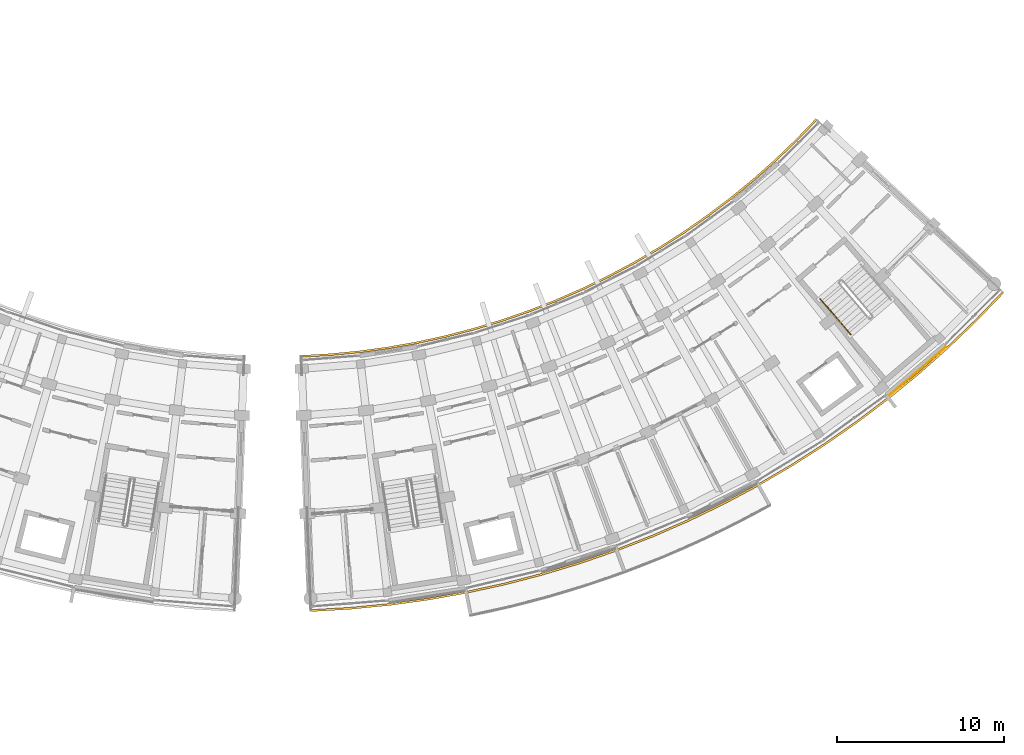
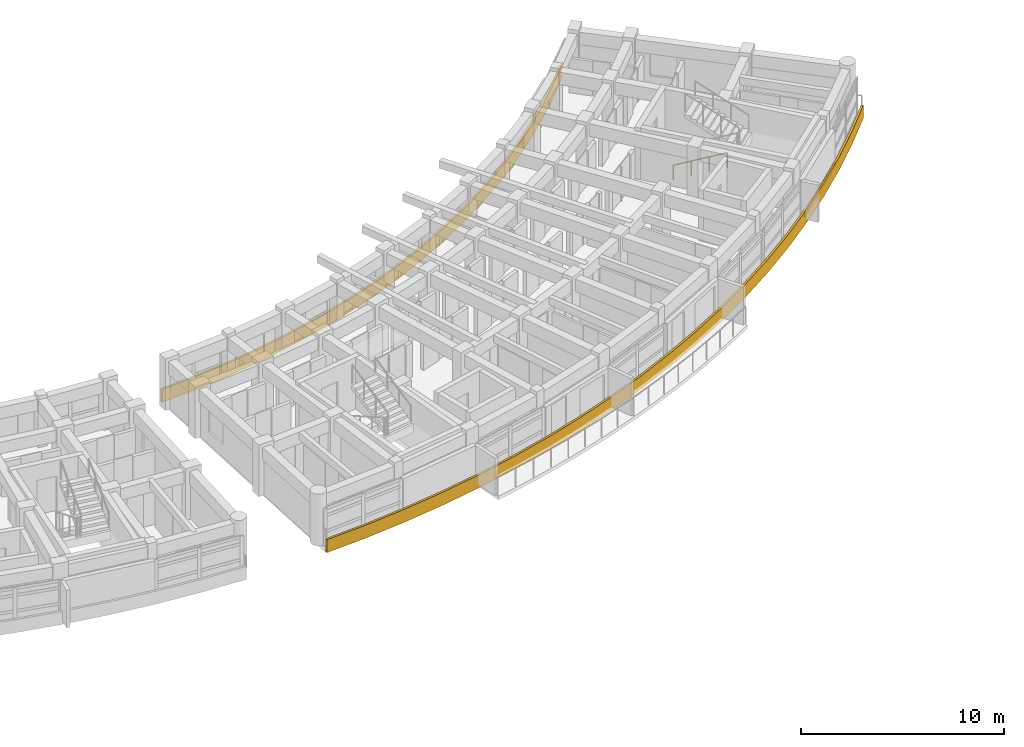
# One storey, part 69 of 70: 3 railings, 1 covering.
"""IFC4 building model written with IfcOpenShell, lengths in metres."""

from ifc_helpers import new_model, si_unit, direction, frame, origin, origin_2d, place, context, subcontext, project, spatial, polyline, rectangle, circle, outline, extrude, material, layer, layer_set, type_object, element, save


model = new_model("IFC4")

# Units and contexts
model_context = context("Model", 3, precision=1e-05, world=origin(), true_north=direction((0.0, 1.0)))
body_context = subcontext(model_context, "Body", "Model", "MODEL_VIEW")
ifc_project = project(units=[si_unit("LENGTHUNIT", "METRE"), si_unit("AREAUNIT", "SQUARE_METRE"), si_unit("VOLUMEUNIT", "CUBIC_METRE"), si_unit("PLANEANGLEUNIT", "RADIAN"), si_unit("MASSUNIT", "GRAM", prefix="KILO")], contexts=[model_context])

# Site, building, storey
site_placement = place(None, origin())
site = spatial("IfcSite", under=ifc_project, at=site_placement, CompositionType="ELEMENT")
building_placement = place(site_placement, origin())
building = spatial("IfcBuilding", under=site, at=building_placement, Name="Zimvara Arc Housing Community", CompositionType="ELEMENT")
storey_placement = place(building_placement, frame((0.0, 0.0, 8.10009765625)))
storey = spatial("IfcBuildingStorey", under=building, at=storey_placement, Name="L02", CompositionType="ELEMENT", Elevation=8.10009765625)

# Covering
ifc_material_1 = material(Name="Pale-Gold Anodised Aluminium Cladding", Category="aluminium")
ifc_layer = layer(ifc_material_1, 0.0400390625)
ifc_layer_set = layer_set([ifc_layer], Name="Pale-Gold Anodised Aluminium Cladding")
covering_type = type_object("IfcCoveringType", Name="CLD-GOLD-01", PredefinedType="CLADDING", material=ifc_layer_set)
covering_placement = place(storey_placement, frame((164.565185546875, 64.6025390625, 0.009765625), z_axis=(0.0, 0.0, 1.0), x_axis=(0.760971293982, 0.648785549882, 0.0)))
element("IfcCovering", 1, at=covering_placement, inside=storey, type_object=covering_type, Name="cld:blkD:L02:out:b8", PredefinedType="CLADDING", context=body_context, shape_type="SweptSolid", body=[
    extrude(rectangle(XDim=4.5625, YDim=0.0400390625, at=origin_2d()), origin(), (0.0, 0.0, 1.0), 0.300048828125),
])

# Railings
ifc_material_2 = material(Name="Pale-Gold Anodised Aluminium AW-6063", Category="aluminium")
railing_type_1 = type_object("IfcRailingType", Name="RLG-FAS-780", PredefinedType="BALUSTRADE", material=ifc_material_2)
railing_1_placement = place(storey_placement, frame((0.0, 0.0, -0.22021484375)))
element("IfcRailing", 2, at=railing_1_placement, inside=storey, type_object=railing_type_1, Name="rlg:blkD:L02:gold_out", PredefinedType="BALUSTRADE", context=body_context, shape_type="SweptSolid", body=[
    extrude(outline(polyline([(128.27099609375, 50.223876953125), (130.610595703125, 50.35986328125), (132.94287109375, 50.587646484375), (135.2646484375, 50.90673828125), (137.572021484375, 51.316650390625), (139.861328125, 51.81689453125), (142.12939453125, 52.406494140625), (144.37255859375, 53.0849609375), (146.58740234375, 53.850830078125), (148.7705078125, 54.702880859375), (150.918212890625, 55.64013671875), (153.02783203125, 56.6611328125), (155.095458984375, 57.763916015625), (157.118408203125, 58.947265625), (159.093017578125, 60.208984375), (161.016845703125, 61.54736328125), (162.88671875, 62.9599609375), (164.699462890625, 64.445068359375), (166.45263671875, 66.000244140625), (168.143310546875, 67.623046875), (169.76904296875, 69.31103515625), (169.680908203125, 69.392578125), (168.05859375, 67.7080078125), (166.37109375, 66.08837890625), (164.62158203125, 64.536376953125), (162.8125, 63.054443359375), (160.946533203125, 61.64453125), (159.026611328125, 60.308837890625), (157.0556640625, 59.049560546875), (155.036865234375, 57.86865234375), (152.973388671875, 56.76806640625), (150.8681640625, 55.749267578125), (148.724609375, 54.81396484375), (146.5458984375, 53.96337890625), (144.335693359375, 53.198974609375), (142.096923828125, 52.52197265625), (139.83349609375, 51.93359375), (137.548583984375, 51.434326171875), (135.245849609375, 51.025146484375), (132.928955078125, 50.706787109375), (130.601318359375, 50.4794921875), (128.266357421875, 50.343994140625), (128.27099609375, 50.223876953125)])), origin(), (0.0, 0.0, 1.0), 0.780029296875),
])
railing_2_placement = place(storey_placement, frame((0.0, 0.0, -0.22021484375)))
element("IfcRailing", 3, at=railing_2_placement, inside=storey, type_object=railing_type_1, Name="rlg:blkD:L02:gold_in", PredefinedType="BALUSTRADE", context=body_context, shape_type="SweptSolid", body=[
    extrude(outline(polyline([(127.68603515625, 65.45263671875), (129.427978515625, 65.553955078125), (131.164794921875, 65.723388671875), (132.8935546875, 65.961181640625), (134.61181640625, 66.266357421875), (136.316650390625, 66.638916015625), (138.00537109375, 67.077880859375), (139.67578125, 67.5830078125), (141.324951171875, 68.1533203125), (142.95068359375, 68.7880859375), (144.550048828125, 69.48583984375), (146.120849609375, 70.24609375), (147.660400390625, 71.0673828125), (149.166748046875, 71.948486328125), (150.63720703125, 72.887939453125), (152.06982421875, 73.884521484375), (153.462158203125, 74.9365234375), (154.81201171875, 76.04248046875), (156.117431640625, 77.200439453125), (157.37646484375, 78.40869140625), (158.5869140625, 79.66552734375), (158.4990234375, 79.7470703125), (157.29150390625, 78.49365234375), (156.0361328125, 77.28857421875), (154.734130859375, 76.1337890625), (153.387939453125, 75.03076171875), (151.999267578125, 73.981689453125), (150.57080078125, 72.98779296875), (149.104248046875, 72.05078125), (147.60205078125, 71.172119140625), (146.06640625, 70.35302734375), (144.499755859375, 69.594970703125), (142.90478515625, 68.89892578125), (141.28369140625, 68.265869140625), (139.638916015625, 67.697265625), (137.972900390625, 67.193603515625), (136.28857421875, 66.755615234375), (134.58837890625, 66.384033203125), (132.875, 66.07958984375), (131.15087890625, 65.8427734375), (129.418701171875, 65.673583984375), (127.681396484375, 65.57275390625), (127.68603515625, 65.45263671875)])), origin(), (0.0, 0.0, 1.0), 0.780029296875),
])
ifc_material_3 = material(Name="Anodised Aluminium AW-6063", Category="aluminium")
railing_type_2 = type_object("IfcRailingType", Name="RLG-HND-900", PredefinedType="HANDRAIL", material=ifc_material_3)
railing_3_placement = place(storey_placement, frame((158.766357421875, 68.953369140625, 0.15478515625)))
element("IfcRailing", 4, at=railing_3_placement, inside=storey, type_object=railing_type_2, Name="L02 ST-D2 stair handrail 1", PredefinedType="HANDRAIL", context=body_context, shape_type="SweptSolid", body=[
    extrude(circle(Radius=0.02392578125, at=origin_2d()), frame((0.0, 0.0, 0.8759765625), z_axis=(0.581041388364, -0.681489443978, 0.444930379672), x_axis=(0.760960200111, 0.648798561841, 0.0)), (0.0, 0.0, 1.0), 3.13525390625),
    extrude(circle(Radius=0.02099609375, at=origin_2d()), origin(), (0.0, 0.0, 1.0), 0.851806640625),
    extrude(circle(Radius=0.02099609375, at=origin_2d()), frame((0.607177734375, -0.712158203125, 0.465087890625)), (0.0, 0.0, 1.0), 0.851806640625),
    extrude(circle(Radius=0.02099609375, at=origin_2d()), frame((1.214599609375, -1.424560546875, 0.929931640625)), (0.0, 0.0, 1.0), 0.851806640625),
    extrude(circle(Radius=0.02099609375, at=origin_2d()), frame((1.82177734375, -2.13671875, 1.39501953125)), (0.0, 0.0, 1.0), 0.851806640625),
])

save(model, "model.ifc")
